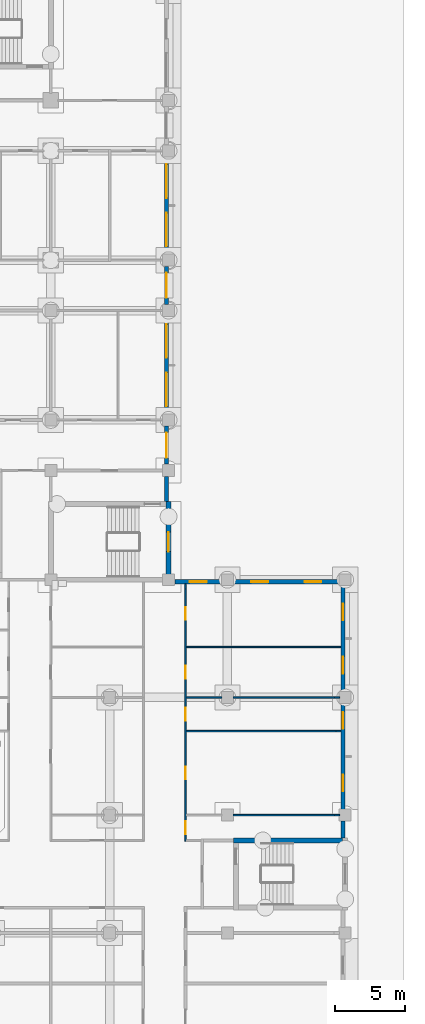
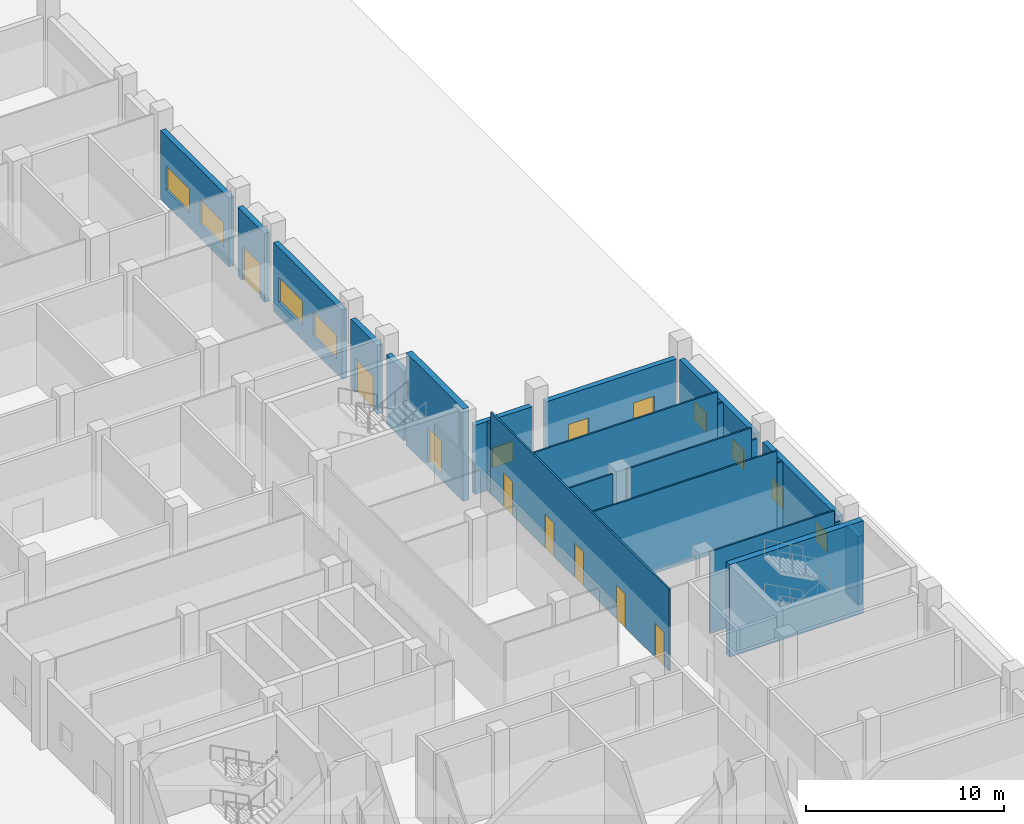
# One storey, part 89 of 146: 23 walls, 11 windows, 8 doors, 19 openings.
"""IFC4 building model written with IfcOpenShell, lengths in metres."""

import ifcopenshell
import ifcopenshell.guid

model = None  # the IFC model being written
_history = None  # IfcOwnerHistory: only IFC2X3 demands one
_inside = {}  # id of a spatial element -> (the spatial element, [elements in it])
_under = {}  # id of a project, library or spatial element -> (it, [spatial elements below it])
_declared = {}  # id of a project -> (the project, [libraries it declares])
_typed = {}  # id of a type object -> (the type object, [elements of that type])
_made_of = {}  # id of a material, layer set ... -> (it, [elements and type objects made of it])


def new_model(schema):
    """Start an empty IFC model of exactly this schema.

    Asked for "IFC4X3", IfcOpenShell would pick the latest addendum, in which some entities
    have other attributes; the version numbers below select the first issue.
    IFC2X3 requires an IfcOwnerHistory on every rooted entity: one is made here for all.
    """
    global model, _history
    if schema == "IFC4X3":
        model = ifcopenshell.file(schema_version=(4, 3, 0, 0))
    else:
        model = ifcopenshell.file(schema=schema)
    _inside.clear()
    _under.clear()
    _declared.clear()
    _typed.clear()
    _made_of.clear()
    _history = None
    if model.schema == "IFC2X3":
        org = make("IfcOrganization", Name="unknown")
        user = make(
            "IfcPersonAndOrganization",
            ThePerson=make("IfcPerson", FamilyName="unknown"),
            TheOrganization=org,
        )
        app = make(
            "IfcApplication",
            ApplicationDeveloper=org,
            Version="unknown",
            ApplicationFullName="unknown",
            ApplicationIdentifier="unknown",
        )
        _history = make(
            "IfcOwnerHistory",
            OwningUser=user,
            OwningApplication=app,
            ChangeAction="ADDED",
            CreationDate=0,
        )
    return model


def make(cls, **values):
    """One entity of the class cls with the attributes given. An attribute that is None is left unset."""
    return model.create_entity(
        cls, **{name: value for name, value in values.items() if value is not None}
    )


def rooted(cls, **values):
    """An entity with a GlobalId (a new one), such as an element, a storey or a relation."""
    return make(cls, GlobalId=ifcopenshell.guid.new(), OwnerHistory=_history, **values)


def si_unit(unit_type, name, prefix=None):
    """IfcSIUnit, for example si_unit("LENGTHUNIT", "METRE", prefix="MILLI")."""
    return make("IfcSIUnit", UnitType=unit_type, Prefix=prefix, Name=name)


def assignment(units):
    """IfcUnitAssignment: the units of a project."""
    return None if units is None else make("IfcUnitAssignment", Units=units)


def point(xyz):
    """IfcCartesianPoint."""
    return None if xyz is None else make("IfcCartesianPoint", Coordinates=xyz)


def direction(xyz):
    """IfcDirection."""
    return None if xyz is None else make("IfcDirection", DirectionRatios=xyz)


def frame(location, z_axis=None, x_axis=None):
    """IfcAxis2Placement3D, a coordinate frame: its origin and axes. An axis left out is left unset."""
    return make(
        "IfcAxis2Placement3D",
        Location=point(location),
        Axis=direction(z_axis),
        RefDirection=direction(x_axis),
    )


def frame_2d(location, x_axis=None):
    """IfcAxis2Placement2D, a coordinate frame in the plane: its origin and x axis."""
    return make(
        "IfcAxis2Placement2D", Location=point(location), RefDirection=direction(x_axis)
    )


def origin():
    """The frame at (0, 0, 0) with its axes left unset."""
    return frame((0.0, 0.0, 0.0))


def place(relative_to, where):
    """IfcLocalPlacement: puts the frame where relative to a parent placement (None: the world)."""
    return make(
        "IfcLocalPlacement", PlacementRelTo=relative_to, RelativePlacement=where
    )


def context(
    kind, dimensions, precision=None, world=None, true_north=None, identifier=None
):
    """IfcGeometricRepresentationContext, for example the 3D "Model" context."""
    return make(
        "IfcGeometricRepresentationContext",
        ContextIdentifier=identifier,
        ContextType=kind,
        CoordinateSpaceDimension=dimensions,
        Precision=precision,
        WorldCoordinateSystem=world,
        TrueNorth=true_north,
    )


def subcontext(parent, identifier, kind, view, scale=None):
    """IfcGeometricRepresentationSubContext, for example "Body" below "Model"."""
    return make(
        "IfcGeometricRepresentationSubContext",
        ContextIdentifier=identifier,
        ContextType=kind,
        ParentContext=parent,
        TargetScale=scale,
        TargetView=view,
    )


def project(units=None, contexts=None):
    """IfcProject with its units and contexts."""
    return rooted(
        "IfcProject",
        Name="project",
        RepresentationContexts=contexts,
        UnitsInContext=assignment(units),
    )


def spatial(cls, under=None, at=None, **own):
    """A site, building, storey or space (cls), placed at a placement, below another one or the project."""
    s = rooted(cls, ObjectPlacement=at, **own)
    if under is not None:
        _under.setdefault(under.id(), (under, []))[1].append(s)
    return s


def profile(cls, at=None, kind="AREA", **sizes):
    """A parametric profile (cls). Its sizes go by their IFC names, for example OverallWidth=200.0."""
    return make(cls, ProfileType=kind, Position=at, **sizes)


def rectangle(**sizes):
    """IfcRectangleProfileDef."""
    return profile("IfcRectangleProfileDef", **sizes)


def extrude(swept, where, along, depth):
    """IfcExtrudedAreaSolid: the profile swept, set in the frame where, extruded along a direction by depth."""
    return make(
        "IfcExtrudedAreaSolid",
        SweptArea=swept,
        Position=where,
        ExtrudedDirection=direction(along),
        Depth=depth,
    )


def shape(context_of_items, identifier, shape_type, items):
    """IfcShapeRepresentation: the items that make up one representation, for example the "Body"."""
    return make(
        "IfcShapeRepresentation",
        ContextOfItems=context_of_items,
        RepresentationIdentifier=identifier,
        RepresentationType=shape_type,
        Items=items,
    )


def material(Name=None, Category=None):
    """IfcMaterial."""
    return make("IfcMaterial", Name=Name, Category=Category)


def layer(
    of_material, thickness, ventilated=None, Name=None, Category=None, Priority=None
):
    """IfcMaterialLayer: one layer of a wall or slab, of a material (None: an air gap)."""
    return make(
        "IfcMaterialLayer",
        Material=of_material,
        LayerThickness=thickness,
        IsVentilated=ventilated,
        Name=Name,
        Category=Category,
        Priority=Priority,
    )


def layer_set(layers, Name=None):
    """IfcMaterialLayerSet."""
    return make("IfcMaterialLayerSet", MaterialLayers=layers, LayerSetName=Name)


def made_of(thing, what):
    """Note that an element or type object is made of a material, layer set ...; save() writes the relation."""
    if what is not None:
        _made_of.setdefault(what.id(), (what, []))[1].append(thing)
    return thing


def type_object(cls, material=None, **own):
    """A type object (cls), such as IfcWallType, which elements share."""
    return made_of(rooted(cls, **own), material)


def element(
    cls,
    number,
    at=None,
    inside=None,
    cuts=None,
    type_object=None,
    material=None,
    context=None,
    identifier="Body",
    shape_type=None,
    held_by="IfcProductDefinitionShape",
    body=None,
    shapes=None,
    **own,
):
    """One element of the class cls, such as IfcWall. Its Tag is "e" and its number.

    at: its placement. inside: the storey or other place that contains it. cuts: it is an
    opening in that element (IfcRelVoidsElement). A single representation is given by context,
    identifier, shape_type and body (its items); several are given by shapes. held_by: the class
    of the entity that holds the representations. save() writes the other relations.
    """
    e = rooted(cls, Tag="e%d" % number, ObjectPlacement=at, **own)
    if body is not None:
        shapes = [shape(context, identifier, shape_type, body)]
    if shapes is not None:
        e.Representation = make(held_by, Representations=shapes)
    if inside is not None:
        _inside.setdefault(inside.id(), (inside, []))[1].append(e)
    if cuts is not None:
        rooted(
            "IfcRelVoidsElement", RelatingBuildingElement=cuts, RelatedOpeningElement=e
        )
    if type_object is not None:
        _typed.setdefault(type_object.id(), (type_object, []))[1].append(e)
    return made_of(e, material)


def fill(opening, filler):
    """IfcRelFillsElement: the door or window that sits in an opening."""
    return rooted(
        "IfcRelFillsElement",
        RelatingOpeningElement=opening,
        RelatedBuildingElement=filler,
    )


def aggregate(whole, parts):
    """IfcRelAggregates: a whole, such as a stair, and the parts it consists of."""
    return rooted("IfcRelAggregates", RelatingObject=whole, RelatedObjects=parts)


def save(model, path):
    """Write the relations noted so far, then the file.

    IfcRelAggregates (storeys below a building ...), IfcRelContainedInSpatialStructure (elements
    in a storey), IfcRelDefinesByType, IfcRelAssociatesMaterial and IfcRelDeclares: one each for
    every whole, place, type object, material and project.
    """
    for whole, parts in _under.values():
        aggregate(whole, parts)
    for where, things in _inside.values():
        rooted(
            "IfcRelContainedInSpatialStructure",
            RelatedElements=things,
            RelatingStructure=where,
        )
    for kind, things in _typed.values():
        rooted("IfcRelDefinesByType", RelatedObjects=things, RelatingType=kind)
    for what, things in _made_of.values():
        rooted("IfcRelAssociatesMaterial", RelatedObjects=things, RelatingMaterial=what)
    for by, libraries in _declared.values():
        rooted("IfcRelDeclares", RelatingContext=by, RelatedDefinitions=libraries)
    model.write(path)


model = new_model("IFC4")

# Units and contexts
model_context = context("Model", 3, precision=1e-05, world=origin(), true_north=direction((0.0, 1.0)))
body_context = subcontext(model_context, "Body", "Model", "MODEL_VIEW")
ifc_project = project(units=[si_unit("LENGTHUNIT", "METRE"), si_unit("AREAUNIT", "SQUARE_METRE"), si_unit("VOLUMEUNIT", "CUBIC_METRE"), si_unit("PLANEANGLEUNIT", "RADIAN"), si_unit("MASSUNIT", "GRAM", prefix="KILO")], contexts=[model_context])

# Site, building, storey
site_placement = place(None, origin())
site = spatial("IfcSite", under=ifc_project, at=site_placement, CompositionType="ELEMENT")
building_placement = place(site_placement, origin())
building = spatial("IfcBuilding", under=site, at=building_placement, Name="Bougainvillea Quay General Hospital", CompositionType="ELEMENT")
storey_placement = place(building_placement, origin())
storey = spatial("IfcBuildingStorey", under=building, at=storey_placement, Name="L00", CompositionType="ELEMENT", Elevation=0.0)

# Wall, openings, windows
ifc_material_1 = material(Name="Pale stone rainscreen cladding on insulated masonry backing, pale stone", Category="masonry")
ifc_layer_1 = layer(ifc_material_1, 0.300048828125)
ifc_layer_set_1 = layer_set([ifc_layer_1], Name="Pale stone rainscreen cladding on insulated masonry backing, pale stone")
wall_type_1 = type_object("IfcWallType", Name="External wall pale stone rainscreen 300", PredefinedType="STANDARD", material=ifc_layer_set_1)
wall_1_placement = place(storey_placement, frame((205.64990234375, 101.199951171875, 0.0), z_axis=(0.0, 0.0, 1.0), x_axis=(0.0, 1.0, 0.0)))
wall_1 = element("IfcWall", 1, at=wall_1_placement, inside=storey, type_object=wall_type_1, Name="External wall wall/V3/L00/p0/02e", PredefinedType="STANDARD", context=body_context, shape_type="SweptSolid", body=[
    extrude(rectangle(XDim=7.60009765625, YDim=0.300048828125, at=frame_2d((3.800048828125, 0.0))), origin(), (0.0, 0.0, 1.0), 4.25),
])
opening_1_placement = place(wall_1_placement, frame((1.300048828125, 0.0, 1.199951171875)))
opening_1 = element("IfcOpeningElement", 2, at=opening_1_placement, cuts=wall_1, Name="Opening W2", PredefinedType="OPENING", context=body_context, shape_type="SweptSolid", body=[
    extrude(rectangle(XDim=1.199951171875, YDim=1.199951171875, at=frame_2d((0.60009765625, 0.60009765625))), frame((0.0, 0.159912109375, 0.0), z_axis=(0.0, -1.0, 0.0), x_axis=(1.0, 0.0, 0.0)), (0.0, 0.0, 1.0), 0.320068359375),
])
opening_2_placement = place(wall_1_placement, frame((5.75, 0.0, 1.199951171875)))
opening_2 = element("IfcOpeningElement", 3, at=opening_2_placement, cuts=wall_1, Name="Opening W2", PredefinedType="OPENING", context=body_context, shape_type="SweptSolid", body=[
    extrude(rectangle(XDim=1.199951171875, YDim=1.199951171875, at=frame_2d((0.60009765625, 0.60009765625))), frame((0.0, 0.159912109375, 0.0), z_axis=(0.0, -1.0, 0.0), x_axis=(1.0, 0.0, 0.0)), (0.0, 0.0, 1.0), 0.320068359375),
])
ifc_material_2 = material(Name="Aluminium window frame with low-e double glazed unit", Category="aluminium")
window_type_1 = type_object("IfcWindowType", Name="Window W2 1200x1200", PartitioningType="SINGLE_PANEL", PredefinedType="WINDOW", material=ifc_material_2)
window_1_placement = place(opening_1_placement, origin())
window_1 = element("IfcWindow", 4, at=window_1_placement, inside=storey, type_object=window_type_1, Name="Window W2 1", OverallHeight=1.199951171875, OverallWidth=1.199951171875, PartitioningType="SINGLE_PANEL", PredefinedType="WINDOW", context=body_context, shape_type="SweptSolid", body=[
    extrude(rectangle(XDim=1.199951171875, YDim=1.199951171875, at=frame_2d((0.60009765625, 0.60009765625))), frame((0.0, 0.030029296875, 0.0), z_axis=(0.0, -1.0, 0.0), x_axis=(1.0, 0.0, 0.0)), (0.0, 0.0, 1.0), 0.06005859375),
])
fill(opening_1, window_1)
window_2_placement = place(opening_2_placement, origin())
window_2 = element("IfcWindow", 5, at=window_2_placement, inside=storey, type_object=window_type_1, Name="Window W2 2", OverallHeight=1.199951171875, OverallWidth=1.199951171875, PartitioningType="SINGLE_PANEL", PredefinedType="WINDOW", context=body_context, shape_type="SweptSolid", body=[
    extrude(rectangle(XDim=1.199951171875, YDim=1.199951171875, at=frame_2d((0.60009765625, 0.60009765625))), frame((0.0, 0.030029296875, 0.0), z_axis=(0.0, -1.0, 0.0), x_axis=(1.0, 0.0, 0.0)), (0.0, 0.0, 1.0), 0.06005859375),
])
fill(opening_2, window_2)

wall_2_placement = place(storey_placement, frame((205.64990234375, 109.60009765625, 0.0), z_axis=(0.0, 0.0, 1.0), x_axis=(0.0, 1.0, 0.0)))
wall_2 = element("IfcWall", 6, at=wall_2_placement, inside=storey, type_object=wall_type_1, Name="External wall wall/V3/L00/p0/02f", PredefinedType="STANDARD", context=body_context, shape_type="SweptSolid", body=[
    extrude(rectangle(XDim=7.599853515625, YDim=0.300048828125, at=frame_2d((3.7998046875, 0.0))), origin(), (0.0, 0.0, 1.0), 4.25),
])
opening_3_placement = place(wall_2_placement, frame((1.300048828125, 0.0, 1.199951171875)))
opening_3 = element("IfcOpeningElement", 7, at=opening_3_placement, cuts=wall_2, Name="Opening W2", PredefinedType="OPENING", context=body_context, shape_type="SweptSolid", body=[
    extrude(rectangle(XDim=1.199951171875, YDim=1.199951171875, at=frame_2d((0.60009765625, 0.60009765625))), frame((0.0, 0.159912109375, 0.0), z_axis=(0.0, -1.0, 0.0), x_axis=(1.0, 0.0, 0.0)), (0.0, 0.0, 1.0), 0.320068359375),
])
opening_4_placement = place(wall_2_placement, frame((5.10009765625, 0.0, 1.199951171875)))
opening_4 = element("IfcOpeningElement", 8, at=opening_4_placement, cuts=wall_2, Name="Opening W2", PredefinedType="OPENING", context=body_context, shape_type="SweptSolid", body=[
    extrude(rectangle(XDim=1.199951171875, YDim=1.199951171875, at=frame_2d((0.60009765625, 0.60009765625))), frame((0.0, 0.159912109375, 0.0), z_axis=(0.0, -1.0, 0.0), x_axis=(1.0, 0.0, 0.0)), (0.0, 0.0, 1.0), 0.320068359375),
])
window_3_placement = place(opening_3_placement, origin())
window_3 = element("IfcWindow", 9, at=window_3_placement, inside=storey, type_object=window_type_1, Name="Window W2 1", OverallHeight=1.199951171875, OverallWidth=1.199951171875, PartitioningType="SINGLE_PANEL", PredefinedType="WINDOW", context=body_context, shape_type="SweptSolid", body=[
    extrude(rectangle(XDim=1.199951171875, YDim=1.199951171875, at=frame_2d((0.60009765625, 0.60009765625))), frame((0.0, 0.030029296875, 0.0), z_axis=(0.0, -1.0, 0.0), x_axis=(1.0, 0.0, 0.0)), (0.0, 0.0, 1.0), 0.06005859375),
])
fill(opening_3, window_3)
window_4_placement = place(opening_4_placement, origin())
window_4 = element("IfcWindow", 10, at=window_4_placement, inside=storey, type_object=window_type_1, Name="Window W2 2", OverallHeight=1.199951171875, OverallWidth=1.199951171875, PartitioningType="SINGLE_PANEL", PredefinedType="WINDOW", context=body_context, shape_type="SweptSolid", body=[
    extrude(rectangle(XDim=1.199951171875, YDim=1.199951171875, at=frame_2d((0.60009765625, 0.60009765625))), frame((0.0, 0.030029296875, 0.0), z_axis=(0.0, -1.0, 0.0), x_axis=(1.0, 0.0, 0.0)), (0.0, 0.0, 1.0), 0.06005859375),
])
fill(opening_4, window_4)

wall_3_placement = place(storey_placement, frame((205.39990234375, 117.449951171875, 0.0), z_axis=(0.0, 0.0, 1.0), x_axis=(-1.0, 0.0, 0.0)))
wall_3 = element("IfcWall", 11, at=wall_3_placement, inside=storey, type_object=wall_type_1, Name="External wall wall/V3/L00/p0/03a", PredefinedType="STANDARD", context=body_context, shape_type="SweptSolid", body=[
    extrude(rectangle(XDim=7.599853515625, YDim=0.300048828125, at=frame_2d((3.7998046875, 0.0))), origin(), (0.0, 0.0, 1.0), 4.25),
])
opening_5_placement = place(wall_3_placement, frame((1.300048828125, 0.0, 1.199951171875)))
opening_5 = element("IfcOpeningElement", 12, at=opening_5_placement, cuts=wall_3, Name="Opening W2", PredefinedType="OPENING", context=body_context, shape_type="SweptSolid", body=[
    extrude(rectangle(XDim=1.199951171875, YDim=1.199951171875, at=frame_2d((0.60009765625, 0.60009765625))), frame((0.0, 0.159912109375, 0.0), z_axis=(0.0, -1.0, 0.0), x_axis=(1.0, 0.0, 0.0)), (0.0, 0.0, 1.0), 0.320068359375),
])
opening_6_placement = place(wall_3_placement, frame((5.10009765625, 0.0, 1.199951171875)))
opening_6 = element("IfcOpeningElement", 13, at=opening_6_placement, cuts=wall_3, Name="Opening W2", PredefinedType="OPENING", context=body_context, shape_type="SweptSolid", body=[
    extrude(rectangle(XDim=1.199951171875, YDim=1.199951171875, at=frame_2d((0.60009765625, 0.60009765625))), frame((0.0, 0.159912109375, 0.0), z_axis=(0.0, -1.0, 0.0), x_axis=(1.0, 0.0, 0.0)), (0.0, 0.0, 1.0), 0.320068359375),
])
window_5_placement = place(opening_5_placement, origin())
window_5 = element("IfcWindow", 14, at=window_5_placement, inside=storey, type_object=window_type_1, Name="Window W2 1", OverallHeight=1.199951171875, OverallWidth=1.199951171875, PartitioningType="SINGLE_PANEL", PredefinedType="WINDOW", context=body_context, shape_type="SweptSolid", body=[
    extrude(rectangle(XDim=1.199951171875, YDim=1.199951171875, at=frame_2d((0.60009765625, 0.60009765625))), frame((0.0, 0.030029296875, 0.0), z_axis=(0.0, -1.0, 0.0), x_axis=(1.0, 0.0, 0.0)), (0.0, 0.0, 1.0), 0.06005859375),
])
fill(opening_5, window_5)
window_6_placement = place(opening_6_placement, origin())
window_6 = element("IfcWindow", 15, at=window_6_placement, inside=storey, type_object=window_type_1, Name="Window W2 2", OverallHeight=1.199951171875, OverallWidth=1.199951171875, PartitioningType="SINGLE_PANEL", PredefinedType="WINDOW", context=body_context, shape_type="SweptSolid", body=[
    extrude(rectangle(XDim=1.199951171875, YDim=1.199951171875, at=frame_2d((0.60009765625, 0.60009765625))), frame((0.0, 0.030029296875, 0.0), z_axis=(0.0, -1.0, 0.0), x_axis=(1.0, 0.0, 0.0)), (0.0, 0.0, 1.0), 0.06005859375),
])
fill(opening_6, window_6)

# Wall, opening, window
wall_4_placement = place(storey_placement, frame((197.0, 117.449951171875, 0.0), z_axis=(0.0, 0.0, 1.0), x_axis=(-1.0, 0.0, 0.0)))
wall_4 = element("IfcWall", 16, at=wall_4_placement, inside=storey, type_object=wall_type_1, Name="External wall wall/V3/L00/p0/03b", PredefinedType="STANDARD", context=body_context, shape_type="SweptSolid", body=[
    extrude(rectangle(XDim=3.35009765625, YDim=0.300048828125, at=frame_2d((1.675048828125, 0.0))), origin(), (0.0, 0.0, 1.0), 4.25),
])
opening_7_placement = place(wall_4_placement, frame((1.074951171875, 0.0, 1.199951171875)))
opening_7 = element("IfcOpeningElement", 17, at=opening_7_placement, cuts=wall_4, Name="Opening W2", PredefinedType="OPENING", context=body_context, shape_type="SweptSolid", body=[
    extrude(rectangle(XDim=1.199951171875, YDim=1.199951171875, at=frame_2d((0.60009765625, 0.60009765625))), frame((0.0, 0.159912109375, 0.0), z_axis=(0.0, -1.0, 0.0), x_axis=(1.0, 0.0, 0.0)), (0.0, 0.0, 1.0), 0.320068359375),
])
window_7_placement = place(opening_7_placement, origin())
window_7 = element("IfcWindow", 18, at=window_7_placement, inside=storey, type_object=window_type_1, Name="Window W2 1", OverallHeight=1.199951171875, OverallWidth=1.199951171875, PartitioningType="SINGLE_PANEL", PredefinedType="WINDOW", context=body_context, shape_type="SweptSolid", body=[
    extrude(rectangle(XDim=1.199951171875, YDim=1.199951171875, at=frame_2d((0.60009765625, 0.60009765625))), frame((0.0, 0.030029296875, 0.0), z_axis=(0.0, -1.0, 0.0), x_axis=(1.0, 0.0, 0.0)), (0.0, 0.0, 1.0), 0.06005859375),
])
fill(opening_7, window_7)

# Wall, opening, door
wall_5_placement = place(storey_placement, frame((193.050048828125, 125.85009765625, 0.0), z_axis=(0.0, 0.0, 1.0), x_axis=(0.0, 1.0, 0.0)))
wall_5 = element("IfcWall", 19, at=wall_5_placement, inside=storey, type_object=wall_type_1, Name="External wall wall/V4/L00/p0/00b", PredefinedType="STANDARD", context=body_context, shape_type="SweptSolid", body=[
    extrude(rectangle(XDim=2.699951171875, YDim=0.300048828125, at=frame_2d((1.35009765625, 0.0))), origin(), (0.0, 0.0, 1.0), 4.25),
])
opening_8_placement = place(wall_5_placement, frame((0.449951171875, 0.0, 0.0)))
opening_8 = element("IfcOpeningElement", 20, at=opening_8_placement, cuts=wall_5, Name="Opening L00.329", PredefinedType="OPENING", context=body_context, shape_type="SweptSolid", body=[
    extrude(rectangle(XDim=1.800048828125, YDim=2.10009765625, at=frame_2d((0.89990234375, 1.050048828125))), frame((0.0, 0.159912109375, 0.0), z_axis=(0.0, -1.0, 0.0), x_axis=(1.0, 0.0, 0.0)), (0.0, 0.0, 1.0), 0.320068359375),
])
ifc_material_3 = material(Name="Steel door set, painted, with vision panels", Category="steel")
door_type_1 = type_object("IfcDoorType", Name="Escape door 1800x2100", OperationType="DOUBLE_DOOR_SINGLE_SWING", PredefinedType="DOOR", material=ifc_material_3)
door_1_placement = place(opening_8_placement, frame((1.800048828125, 0.0, 0.0), z_axis=(0.0, 0.0, 1.0), x_axis=(-1.0, 0.0, 0.0)))
door_1 = element("IfcDoor", 21, at=door_1_placement, inside=storey, type_object=door_type_1, Name="Escape door 5", OperationType="SINGLE_SWING_LEFT", OverallHeight=2.10009765625, OverallWidth=1.800048828125, PredefinedType="DOOR", context=body_context, shape_type="SweptSolid", body=[
    extrude(rectangle(XDim=1.800048828125, YDim=2.10009765625, at=frame_2d((0.89990234375, 1.050048828125))), frame((0.0, 0.02490234375, 0.0), z_axis=(0.0, -1.0, 0.0), x_axis=(1.0, 0.0, 0.0)), (0.0, 0.0, 1.0), 0.050048828125),
])
fill(opening_8, door_1)

# Wall, openings, windows
wall_6_placement = place(storey_placement, frame((193.050048828125, 129.449951171875, 0.0), z_axis=(0.0, 0.0, 1.0), x_axis=(0.0, 1.0, 0.0)))
wall_6 = element("IfcWall", 22, at=wall_6_placement, inside=storey, type_object=wall_type_1, Name="External wall wall/V4/L00/p0/00c", PredefinedType="STANDARD", context=body_context, shape_type="SweptSolid", body=[
    extrude(rectangle(XDim=6.900146484375, YDim=0.300048828125, at=frame_2d((3.4501953125, 0.0))), origin(), (0.0, 0.0, 1.0), 4.25),
])
opening_9_placement = place(wall_6_placement, frame((0.52490234375, 0.0, 0.89990234375)))
opening_9 = element("IfcOpeningElement", 23, at=opening_9_placement, cuts=wall_6, Name="Opening W3", PredefinedType="OPENING", context=body_context, shape_type="SweptSolid", body=[
    extrude(rectangle(XDim=2.39990234375, YDim=1.5, at=frame_2d((1.199951171875, 0.75))), frame((0.0, 0.159912109375, 0.0), z_axis=(0.0, -1.0, 0.0), x_axis=(1.0, 0.0, 0.0)), (0.0, 0.0, 1.0), 0.320068359375),
])
opening_10_placement = place(wall_6_placement, frame((3.97509765625, 0.0, 0.89990234375)))
opening_10 = element("IfcOpeningElement", 24, at=opening_10_placement, cuts=wall_6, Name="Opening W3", PredefinedType="OPENING", context=body_context, shape_type="SweptSolid", body=[
    extrude(rectangle(XDim=2.39990234375, YDim=1.5, at=frame_2d((1.199951171875, 0.75))), frame((0.0, 0.159912109375, 0.0), z_axis=(0.0, -1.0, 0.0), x_axis=(1.0, 0.0, 0.0)), (0.0, 0.0, 1.0), 0.320068359375),
])
window_type_2 = type_object("IfcWindowType", Name="Window W3 2400x1500", PartitioningType="TRIPLE_PANEL_VERTICAL", PredefinedType="WINDOW", material=ifc_material_2)
window_8_placement = place(opening_9_placement, origin())
window_8 = element("IfcWindow", 25, at=window_8_placement, inside=storey, type_object=window_type_2, Name="Window W3 1", OverallHeight=1.5, OverallWidth=2.39990234375, PartitioningType="SINGLE_PANEL", PredefinedType="WINDOW", context=body_context, shape_type="SweptSolid", body=[
    extrude(rectangle(XDim=2.39990234375, YDim=1.5, at=frame_2d((1.199951171875, 0.75))), frame((0.0, 0.030029296875, 0.0), z_axis=(0.0, -1.0, 0.0), x_axis=(1.0, 0.0, 0.0)), (0.0, 0.0, 1.0), 0.06005859375),
])
fill(opening_9, window_8)
window_9_placement = place(opening_10_placement, origin())
window_9 = element("IfcWindow", 26, at=window_9_placement, inside=storey, type_object=window_type_2, Name="Window W3 2", OverallHeight=1.5, OverallWidth=2.39990234375, PartitioningType="SINGLE_PANEL", PredefinedType="WINDOW", context=body_context, shape_type="SweptSolid", body=[
    extrude(rectangle(XDim=2.39990234375, YDim=1.5, at=frame_2d((1.199951171875, 0.75))), frame((0.0, 0.030029296875, 0.0), z_axis=(0.0, -1.0, 0.0), x_axis=(1.0, 0.0, 0.0)), (0.0, 0.0, 1.0), 0.06005859375),
])
fill(opening_10, window_9)

# Wall, opening, door
wall_7_placement = place(storey_placement, frame((193.050048828125, 137.25, 0.0), z_axis=(0.0, 0.0, 1.0), x_axis=(0.0, 1.0, 0.0)))
wall_7 = element("IfcWall", 27, at=wall_7_placement, inside=storey, type_object=wall_type_1, Name="External wall wall/V4/L00/p0/00d", PredefinedType="STANDARD", context=body_context, shape_type="SweptSolid", body=[
    extrude(rectangle(XDim=2.699951171875, YDim=0.300048828125, at=frame_2d((1.35009765625, 0.0))), origin(), (0.0, 0.0, 1.0), 4.25),
])
opening_11_placement = place(wall_7_placement, frame((0.449951171875, 0.0, 0.0)))
opening_11 = element("IfcOpeningElement", 28, at=opening_11_placement, cuts=wall_7, Name="Opening L00.330", PredefinedType="OPENING", context=body_context, shape_type="SweptSolid", body=[
    extrude(rectangle(XDim=1.800048828125, YDim=2.10009765625, at=frame_2d((0.89990234375, 1.050048828125))), frame((0.0, 0.159912109375, 0.0), z_axis=(0.0, -1.0, 0.0), x_axis=(1.0, 0.0, 0.0)), (0.0, 0.0, 1.0), 0.320068359375),
])
door_2_placement = place(opening_11_placement, frame((1.800048828125, 0.0, 0.0), z_axis=(0.0, 0.0, 1.0), x_axis=(-1.0, 0.0, 0.0)))
door_2 = element("IfcDoor", 29, at=door_2_placement, inside=storey, type_object=door_type_1, Name="Escape door 6", OperationType="SINGLE_SWING_LEFT", OverallHeight=2.10009765625, OverallWidth=1.800048828125, PredefinedType="DOOR", context=body_context, shape_type="SweptSolid", body=[
    extrude(rectangle(XDim=1.800048828125, YDim=2.10009765625, at=frame_2d((0.89990234375, 1.050048828125))), frame((0.0, 0.02490234375, 0.0), z_axis=(0.0, -1.0, 0.0), x_axis=(1.0, 0.0, 0.0)), (0.0, 0.0, 1.0), 0.050048828125),
])
fill(opening_11, door_2)

# Wall, openings, windows
wall_8_placement = place(storey_placement, frame((193.050048828125, 140.85009765625, 0.0), z_axis=(0.0, 0.0, 1.0), x_axis=(0.0, 1.0, 0.0)))
wall_8 = element("IfcWall", 30, at=wall_8_placement, inside=storey, type_object=wall_type_1, Name="External wall wall/V4/L00/p0/00e", PredefinedType="STANDARD", context=body_context, shape_type="SweptSolid", body=[
    extrude(rectangle(XDim=6.89990234375, YDim=0.300048828125, at=frame_2d((3.449951171875, 0.0))), origin(), (0.0, 0.0, 1.0), 4.25),
])
opening_12_placement = place(wall_8_placement, frame((0.52490234375, 0.0, 0.89990234375)))
opening_12 = element("IfcOpeningElement", 31, at=opening_12_placement, cuts=wall_8, Name="Opening W3", PredefinedType="OPENING", context=body_context, shape_type="SweptSolid", body=[
    extrude(rectangle(XDim=2.39990234375, YDim=1.5, at=frame_2d((1.199951171875, 0.75))), frame((0.0, 0.159912109375, 0.0), z_axis=(0.0, -1.0, 0.0), x_axis=(1.0, 0.0, 0.0)), (0.0, 0.0, 1.0), 0.320068359375),
])
opening_13_placement = place(wall_8_placement, frame((3.97509765625, 0.0, 0.89990234375)))
opening_13 = element("IfcOpeningElement", 32, at=opening_13_placement, cuts=wall_8, Name="Opening W3", PredefinedType="OPENING", context=body_context, shape_type="SweptSolid", body=[
    extrude(rectangle(XDim=2.39990234375, YDim=1.5, at=frame_2d((1.199951171875, 0.75))), frame((0.0, 0.159912109375, 0.0), z_axis=(0.0, -1.0, 0.0), x_axis=(1.0, 0.0, 0.0)), (0.0, 0.0, 1.0), 0.320068359375),
])
window_10_placement = place(opening_12_placement, origin())
window_10 = element("IfcWindow", 33, at=window_10_placement, inside=storey, type_object=window_type_2, Name="Window W3 1", OverallHeight=1.5, OverallWidth=2.39990234375, PartitioningType="SINGLE_PANEL", PredefinedType="WINDOW", context=body_context, shape_type="SweptSolid", body=[
    extrude(rectangle(XDim=2.39990234375, YDim=1.5, at=frame_2d((1.199951171875, 0.75))), frame((0.0, 0.030029296875, 0.0), z_axis=(0.0, -1.0, 0.0), x_axis=(1.0, 0.0, 0.0)), (0.0, 0.0, 1.0), 0.06005859375),
])
fill(opening_12, window_10)
window_11_placement = place(opening_13_placement, origin())
window_11 = element("IfcWindow", 34, at=window_11_placement, inside=storey, type_object=window_type_2, Name="Window W3 2", OverallHeight=1.5, OverallWidth=2.39990234375, PartitioningType="SINGLE_PANEL", PredefinedType="WINDOW", context=body_context, shape_type="SweptSolid", body=[
    extrude(rectangle(XDim=2.39990234375, YDim=1.5, at=frame_2d((1.199951171875, 0.75))), frame((0.0, 0.030029296875, 0.0), z_axis=(0.0, -1.0, 0.0), x_axis=(1.0, 0.0, 0.0)), (0.0, 0.0, 1.0), 0.06005859375),
])
fill(opening_13, window_11)

# Walls
ifc_material_4 = material(Name="Terracotta rainscreen cladding on insulated masonry backing, terracotta", Category="masonry")
ifc_layer_2 = layer(ifc_material_4, 0.300048828125)
ifc_layer_set_2 = layer_set([ifc_layer_2], Name="Terracotta rainscreen cladding on insulated masonry backing, terracotta")
wall_type_2 = type_object("IfcWallType", Name="External wall terracotta rainscreen 300", PredefinedType="STANDARD", material=ifc_layer_set_2)
wall_9_placement = place(storey_placement, frame((205.64990234375, 99.175048828125, 0.0), z_axis=(0.0, 0.0, 1.0), x_axis=(0.0, 1.0, 0.0)))
element("IfcWall", 35, at=wall_9_placement, inside=storey, type_object=wall_type_2, Name="External wall wall/V3/L00/p0/02d", PredefinedType="STANDARD", context=body_context, shape_type="SweptSolid", body=[
    extrude(rectangle(XDim=1.224853515625, YDim=0.300048828125, at=frame_2d((0.6123046875, 0.0))), origin(), (0.0, 0.0, 1.0), 4.25),
])
wall_10_placement = place(storey_placement, frame((193.050048828125, 123.175048828125, 0.0), z_axis=(0.0, 0.0, 1.0), x_axis=(0.0, 1.0, 0.0)))
element("IfcWall", 36, at=wall_10_placement, inside=storey, type_object=wall_type_2, Name="External wall wall/V4/L00/p0/00a", PredefinedType="STANDARD", context=body_context, shape_type="SweptSolid", body=[
    extrude(rectangle(XDim=1.77490234375, YDim=0.300048828125, at=frame_2d((0.887451171875, 0.0))), origin(), (0.0, 0.0, 1.0), 4.25),
])
ifc_material_5 = material(Name="Gypsum board partition on steel studs", Category="steel")
ifc_layer_3 = layer(ifc_material_5, 0.10009765625)
ifc_layer_set_3 = layer_set([ifc_layer_3], Name="Gypsum board partition on steel studs")
wall_type_3 = type_object("IfcWallType", Name="Partition 100 Gypsum board partition", PredefinedType="PARTITIONING", material=ifc_layer_set_3)
wall_11_placement = place(storey_placement, frame((194.39990234375, 117.300048828125, 0.0), z_axis=(0.0, 0.0, 1.0), x_axis=(0.0, -1.0, 0.0)))
element("IfcWall", 37, at=wall_11_placement, inside=storey, type_object=wall_type_3, Name="Partition 100 mm", PredefinedType="PARTITIONING", context=body_context, shape_type="SweptSolid", body=[
    extrude(rectangle(XDim=0.35009765625, YDim=0.10009765625, at=frame_2d((0.175048828125, 0.0))), origin(), (0.0, 0.0, 1.0), 4.280029296875),
])

# Wall, openings, doors
wall_12_placement = place(storey_placement, frame((194.39990234375, 116.949951171875, 0.0), z_axis=(0.0, 0.0, 1.0), x_axis=(0.0, -1.0, 0.0)))
wall_12 = element("IfcWall", 38, at=wall_12_placement, inside=storey, type_object=wall_type_3, Name="Partition 100 mm", PredefinedType="PARTITIONING", context=body_context, shape_type="SweptSolid", body=[
    extrude(rectangle(XDim=18.0, YDim=0.10009765625, at=frame_2d((9.0, 0.0))), origin(), (0.0, 0.0, 1.0), 5.050048828125),
])
opening_14_placement = place(wall_12_placement, frame((16.60009765625, 0.0, 0.0)))
opening_14 = element("IfcOpeningElement", 39, at=opening_14_placement, cuts=wall_12, Name="Opening L00.122", PredefinedType="OPENING", context=body_context, shape_type="SweptSolid", body=[
    extrude(rectangle(XDim=0.89990234375, YDim=2.10009765625, at=frame_2d((0.449951171875, 1.050048828125))), frame((0.0, 0.06005859375, 0.0), z_axis=(0.0, -1.0, 0.0), x_axis=(1.0, 0.0, 0.0)), (0.0, 0.0, 1.0), 0.1201171875),
])
opening_15_placement = place(wall_12_placement, frame((12.699951171875, 0.0, 0.0)))
opening_15 = element("IfcOpeningElement", 40, at=opening_15_placement, cuts=wall_12, Name="Opening L00.123", PredefinedType="OPENING", context=body_context, shape_type="SweptSolid", body=[
    extrude(rectangle(XDim=0.89990234375, YDim=2.10009765625, at=frame_2d((0.449951171875, 1.050048828125))), frame((0.0, 0.06005859375, 0.0), z_axis=(0.0, -1.0, 0.0), x_axis=(1.0, 0.0, 0.0)), (0.0, 0.0, 1.0), 0.1201171875),
])
opening_16_placement = place(wall_12_placement, frame((8.5, 0.0, 0.0)))
opening_16 = element("IfcOpeningElement", 41, at=opening_16_placement, cuts=wall_12, Name="Opening L00.124", PredefinedType="OPENING", context=body_context, shape_type="SweptSolid", body=[
    extrude(rectangle(XDim=0.89990234375, YDim=2.10009765625, at=frame_2d((0.449951171875, 1.050048828125))), frame((0.0, 0.06005859375, 0.0), z_axis=(0.0, -1.0, 0.0), x_axis=(1.0, 0.0, 0.0)), (0.0, 0.0, 1.0), 0.1201171875),
])
opening_17_placement = place(wall_12_placement, frame((5.5, 0.0, 0.0)))
opening_17 = element("IfcOpeningElement", 42, at=opening_17_placement, cuts=wall_12, Name="Opening L00.125", PredefinedType="OPENING", context=body_context, shape_type="SweptSolid", body=[
    extrude(rectangle(XDim=0.89990234375, YDim=2.10009765625, at=frame_2d((0.449951171875, 1.050048828125))), frame((0.0, 0.06005859375, 0.0), z_axis=(0.0, -1.0, 0.0), x_axis=(1.0, 0.0, 0.0)), (0.0, 0.0, 1.0), 0.1201171875),
])
opening_18_placement = place(wall_12_placement, frame((1.300048828125, 0.0, 0.0)))
opening_18 = element("IfcOpeningElement", 43, at=opening_18_placement, cuts=wall_12, Name="Opening L00.126", PredefinedType="OPENING", context=body_context, shape_type="SweptSolid", body=[
    extrude(rectangle(XDim=0.89990234375, YDim=2.10009765625, at=frame_2d((0.449951171875, 1.050048828125))), frame((0.0, 0.06005859375, 0.0), z_axis=(0.0, -1.0, 0.0), x_axis=(1.0, 0.0, 0.0)), (0.0, 0.0, 1.0), 0.1201171875),
])
ifc_material_6 = material(Name="Solid-core timber door leaf in steel frame", Category="steel")
door_type_2 = type_object("IfcDoorType", Name="Single leaf door 900x2100", OperationType="NOTDEFINED", PredefinedType="DOOR", material=ifc_material_6)
door_3_placement = place(opening_14_placement, origin())
door_3 = element("IfcDoor", 44, at=door_3_placement, inside=storey, type_object=door_type_2, Name="DT07 L00.122", OperationType="SINGLE_SWING_RIGHT", OverallHeight=2.10009765625, OverallWidth=0.89990234375, PredefinedType="DOOR", context=body_context, shape_type="SweptSolid", body=[
    extrude(rectangle(XDim=0.89990234375, YDim=2.10009765625, at=frame_2d((0.449951171875, 1.050048828125))), frame((0.0, 0.02490234375, 0.0), z_axis=(0.0, -1.0, 0.0), x_axis=(1.0, 0.0, 0.0)), (0.0, 0.0, 1.0), 0.050048828125),
])
fill(opening_14, door_3)
door_4_placement = place(opening_15_placement, origin())
door_4 = element("IfcDoor", 45, at=door_4_placement, inside=storey, type_object=door_type_2, Name="DT07 L00.123", OperationType="SINGLE_SWING_RIGHT", OverallHeight=2.10009765625, OverallWidth=0.89990234375, PredefinedType="DOOR", context=body_context, shape_type="SweptSolid", body=[
    extrude(rectangle(XDim=0.89990234375, YDim=2.10009765625, at=frame_2d((0.449951171875, 1.050048828125))), frame((0.0, 0.02490234375, 0.0), z_axis=(0.0, -1.0, 0.0), x_axis=(1.0, 0.0, 0.0)), (0.0, 0.0, 1.0), 0.050048828125),
])
fill(opening_15, door_4)
door_5_placement = place(opening_16_placement, origin())
door_5 = element("IfcDoor", 46, at=door_5_placement, inside=storey, type_object=door_type_2, Name="DT07 L00.124", OperationType="SINGLE_SWING_LEFT", OverallHeight=2.10009765625, OverallWidth=0.89990234375, PredefinedType="DOOR", context=body_context, shape_type="SweptSolid", body=[
    extrude(rectangle(XDim=0.89990234375, YDim=2.10009765625, at=frame_2d((0.449951171875, 1.050048828125))), frame((0.0, 0.02490234375, 0.0), z_axis=(0.0, -1.0, 0.0), x_axis=(1.0, 0.0, 0.0)), (0.0, 0.0, 1.0), 0.050048828125),
])
fill(opening_16, door_5)
door_6_placement = place(opening_17_placement, origin())
door_6 = element("IfcDoor", 47, at=door_6_placement, inside=storey, type_object=door_type_2, Name="DT07 L00.125", OperationType="SINGLE_SWING_LEFT", OverallHeight=2.10009765625, OverallWidth=0.89990234375, PredefinedType="DOOR", context=body_context, shape_type="SweptSolid", body=[
    extrude(rectangle(XDim=0.89990234375, YDim=2.10009765625, at=frame_2d((0.449951171875, 1.050048828125))), frame((0.0, 0.02490234375, 0.0), z_axis=(0.0, -1.0, 0.0), x_axis=(1.0, 0.0, 0.0)), (0.0, 0.0, 1.0), 0.050048828125),
])
fill(opening_17, door_6)
door_7_placement = place(opening_18_placement, origin())
door_7 = element("IfcDoor", 48, at=door_7_placement, inside=storey, type_object=door_type_2, Name="DT07 L00.126", OperationType="SINGLE_SWING_LEFT", OverallHeight=2.10009765625, OverallWidth=0.89990234375, PredefinedType="DOOR", context=body_context, shape_type="SweptSolid", body=[
    extrude(rectangle(XDim=0.89990234375, YDim=2.10009765625, at=frame_2d((0.449951171875, 1.050048828125))), frame((0.0, 0.02490234375, 0.0), z_axis=(0.0, -1.0, 0.0), x_axis=(1.0, 0.0, 0.0)), (0.0, 0.0, 1.0), 0.050048828125),
])
fill(opening_18, door_7)

# Walls
wall_13_placement = place(storey_placement, frame((197.800048828125, 100.800048828125, 0.0), z_axis=(0.0, 0.0, 1.0), x_axis=(1.0, 0.0, 0.0)))
element("IfcWall", 49, at=wall_13_placement, inside=storey, type_object=wall_type_3, Name="Partition 100 mm", PredefinedType="PARTITIONING", context=body_context, shape_type="SweptSolid", body=[
    extrude(rectangle(XDim=7.25, YDim=0.10009765625, at=frame_2d((3.625, 0.0))), origin(), (0.0, 0.0, 1.0), 5.050048828125),
])
wall_14_placement = place(storey_placement, frame((205.050048828125, 100.800048828125, 0.0), z_axis=(0.0, 0.0, 1.0), x_axis=(1.0, 0.0, 0.0)))
element("IfcWall", 50, at=wall_14_placement, inside=storey, type_object=wall_type_3, Name="Partition 100 mm", PredefinedType="PARTITIONING", context=body_context, shape_type="SweptSolid", body=[
    extrude(rectangle(XDim=0.349853515625, YDim=0.10009765625, at=frame_2d((0.1748046875, 0.0))), origin(), (0.0, 0.0, 1.0), 4.280029296875),
])
wall_15_placement = place(storey_placement, frame((194.449951171875, 106.800048828125, 0.0), z_axis=(0.0, 0.0, 1.0), x_axis=(1.0, 0.0, 0.0)))
element("IfcWall", 51, at=wall_15_placement, inside=storey, type_object=wall_type_3, Name="Partition 100 mm", PredefinedType="PARTITIONING", context=body_context, shape_type="SweptSolid", body=[
    extrude(rectangle(XDim=10.699951171875, YDim=0.10009765625, at=frame_2d((5.35009765625, 0.0))), origin(), (0.0, 0.0, 1.0), 5.050048828125),
])
wall_16_placement = place(storey_placement, frame((205.14990234375, 106.800048828125, 0.0), z_axis=(0.0, 0.0, 1.0), x_axis=(1.0, 0.0, 0.0)))
element("IfcWall", 52, at=wall_16_placement, inside=storey, type_object=wall_type_3, Name="Partition 100 mm", PredefinedType="PARTITIONING", context=body_context, shape_type="SweptSolid", body=[
    extrude(rectangle(XDim=0.35009765625, YDim=0.10009765625, at=frame_2d((0.175048828125, 0.0))), origin(), (0.0, 0.0, 1.0), 4.280029296875),
])
wall_17_placement = place(storey_placement, frame((194.449951171875, 109.199951171875, 0.0), z_axis=(0.0, 0.0, 1.0), x_axis=(1.0, 0.0, 0.0)))
element("IfcWall", 53, at=wall_17_placement, inside=storey, type_object=wall_type_3, Name="Partition 100 mm", PredefinedType="PARTITIONING", context=body_context, shape_type="SweptSolid", body=[
    extrude(rectangle(XDim=2.550048828125, YDim=0.10009765625, at=frame_2d((1.27490234375, 0.0))), origin(), (0.0, 0.0, 1.0), 5.050048828125),
])
wall_18_placement = place(storey_placement, frame((197.800048828125, 109.199951171875, 0.0), z_axis=(0.0, 0.0, 1.0), x_axis=(1.0, 0.0, 0.0)))
element("IfcWall", 54, at=wall_18_placement, inside=storey, type_object=wall_type_3, Name="Partition 100 mm", PredefinedType="PARTITIONING", context=body_context, shape_type="SweptSolid", body=[
    extrude(rectangle(XDim=7.25, YDim=0.10009765625, at=frame_2d((3.625, 0.0))), origin(), (0.0, 0.0, 1.0), 5.050048828125),
])
wall_19_placement = place(storey_placement, frame((205.050048828125, 109.199951171875, 0.0), z_axis=(0.0, 0.0, 1.0), x_axis=(1.0, 0.0, 0.0)))
element("IfcWall", 55, at=wall_19_placement, inside=storey, type_object=wall_type_3, Name="Partition 100 mm", PredefinedType="PARTITIONING", context=body_context, shape_type="SweptSolid", body=[
    extrude(rectangle(XDim=0.349853515625, YDim=0.10009765625, at=frame_2d((0.1748046875, 0.0))), origin(), (0.0, 0.0, 1.0), 4.280029296875),
])
wall_20_placement = place(storey_placement, frame((194.449951171875, 112.800048828125, 0.0), z_axis=(0.0, 0.0, 1.0), x_axis=(1.0, 0.0, 0.0)))
element("IfcWall", 56, at=wall_20_placement, inside=storey, type_object=wall_type_3, Name="Partition 100 mm", PredefinedType="PARTITIONING", context=body_context, shape_type="SweptSolid", body=[
    extrude(rectangle(XDim=10.699951171875, YDim=0.10009765625, at=frame_2d((5.35009765625, 0.0))), origin(), (0.0, 0.0, 1.0), 5.050048828125),
])
wall_21_placement = place(storey_placement, frame((205.14990234375, 112.800048828125, 0.0), z_axis=(0.0, 0.0, 1.0), x_axis=(1.0, 0.0, 0.0)))
element("IfcWall", 57, at=wall_21_placement, inside=storey, type_object=wall_type_3, Name="Partition 100 mm", PredefinedType="PARTITIONING", context=body_context, shape_type="SweptSolid", body=[
    extrude(rectangle(XDim=0.35009765625, YDim=0.10009765625, at=frame_2d((0.175048828125, 0.0))), origin(), (0.0, 0.0, 1.0), 4.280029296875),
])

# Wall, opening, door
ifc_material_7 = material(Name="Concrete C40", Category="concrete")
ifc_layer_4 = layer(ifc_material_7, 0.35009765625)
ifc_layer_set_4 = layer_set([ifc_layer_4], Name="Concrete C40")
wall_type_4 = type_object("IfcWallType", Name="RC SHEAR WALL 350 C40", PredefinedType="SHEAR", material=ifc_layer_set_4)
wall_22_placement = place(storey_placement, frame((193.199951171875, 117.425048828125, -0.300048828125), z_axis=(0.0, 0.0, 1.0), x_axis=(0.0, 1.0, 0.0)))
wall_22 = element("IfcWall", 58, at=wall_22_placement, inside=storey, type_object=wall_type_4, Name="Shear wall L00", PredefinedType="SHEAR", context=body_context, shape_type="SweptSolid", body=[
    extrude(rectangle(XDim=5.75, YDim=0.35009765625, at=frame_2d((2.875, 0.0))), origin(), (0.0, 0.0, 1.0), 5.699951171875),
])
opening_19_placement = place(wall_22_placement, frame((2.175048828125, 0.0, 0.300048828125)))
opening_19 = element("IfcOpeningElement", 59, at=opening_19_placement, cuts=wall_22, Name="Opening L00.346", PredefinedType="OPENING", context=body_context, shape_type="SweptSolid", body=[
    extrude(rectangle(XDim=1.39990234375, YDim=2.10009765625, at=frame_2d((0.699951171875, 1.050048828125))), frame((0.0, 0.18505859375, 0.0), z_axis=(0.0, -1.0, 0.0), x_axis=(1.0, 0.0, 0.0)), (0.0, 0.0, 1.0), 0.3701171875),
])
ifc_material_8 = material(Name="Steel door leaf, painted, with vision panel", Category="steel")
door_type_3 = type_object("IfcDoorType", Name="Stair discharge door 1400x2100", OperationType="SINGLE_SWING_LEFT", PredefinedType="DOOR", material=ifc_material_8)
door_8_placement = place(opening_19_placement, frame((1.39990234375, 0.0, 0.0), z_axis=(0.0, 0.0, 1.0), x_axis=(-1.0, 0.0, 0.0)))
door_8 = element("IfcDoor", 60, at=door_8_placement, inside=storey, type_object=door_type_3, Name="Stair discharge door ST-D4", OperationType="SINGLE_SWING_LEFT", OverallHeight=2.10009765625, OverallWidth=1.39990234375, PredefinedType="DOOR", context=body_context, shape_type="SweptSolid", body=[
    extrude(rectangle(XDim=1.39990234375, YDim=2.10009765625, at=frame_2d((0.699951171875, 1.050048828125))), frame((0.0, 0.02490234375, 0.0), z_axis=(0.0, -1.0, 0.0), x_axis=(1.0, 0.0, 0.0)), (0.0, 0.0, 1.0), 0.050048828125),
])
fill(opening_19, door_8)

# Wall
wall_23_placement = place(storey_placement, frame((197.824951171875, 99.0, -0.300048828125), z_axis=(0.0, 0.0, 1.0), x_axis=(1.0, 0.0, 0.0)))
element("IfcWall", 61, at=wall_23_placement, inside=storey, type_object=wall_type_4, Name="Shear wall L00", PredefinedType="SHEAR", context=body_context, shape_type="SweptSolid", body=[
    extrude(rectangle(XDim=7.800048828125, YDim=0.35009765625, at=frame_2d((3.89990234375, 0.0))), origin(), (0.0, 0.0, 1.0), 5.699951171875),
])

save(model, "model.ifc")
